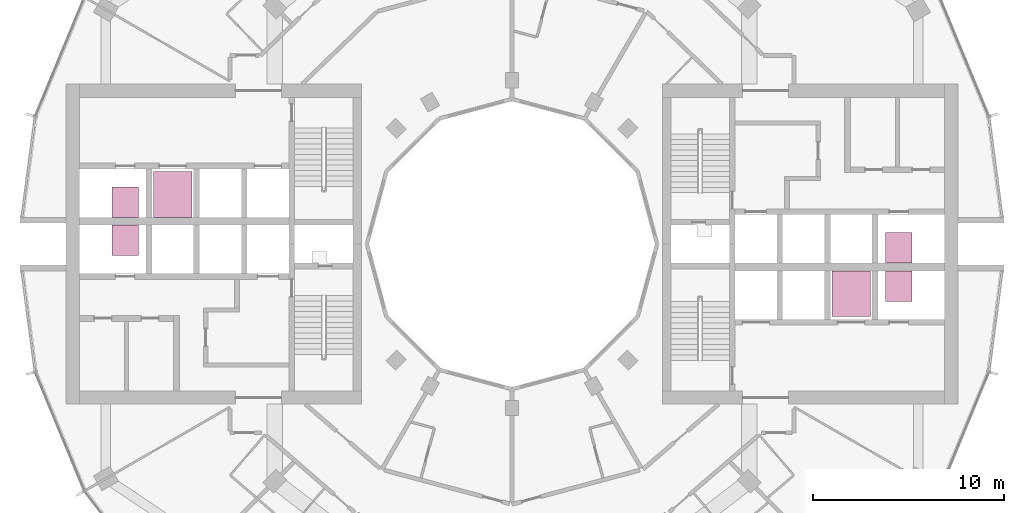
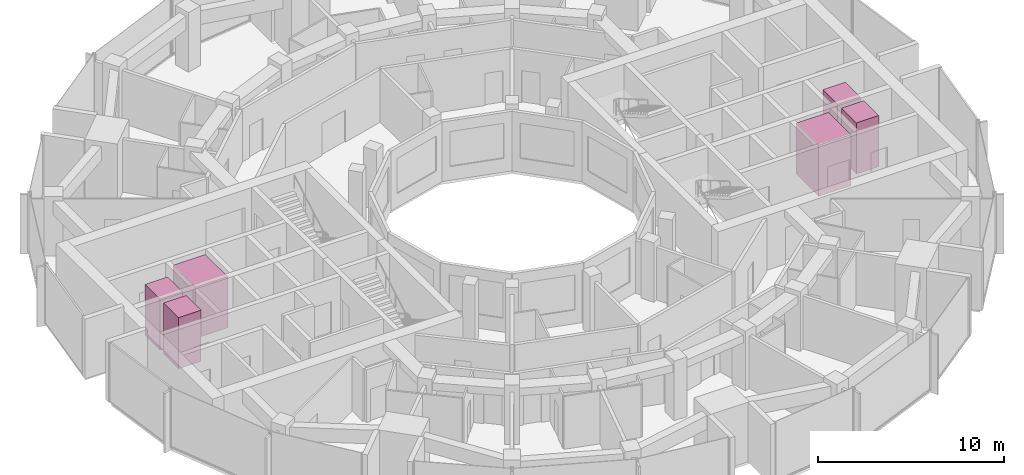
# One storey, part 15 of 15: 6 transport elements.
"""IFC4 building model written with IfcOpenShell, lengths in metres."""

from ifc_helpers import new_model, si_unit, direction, frame, origin, origin_2d, place, context, subcontext, project, spatial, rectangle, extrude, material, type_object, element, save


model = new_model("IFC4")

# Units and contexts
model_context = context("Model", 3, precision=1e-05, world=origin(), true_north=direction((0.0, 1.0)))
body_context = subcontext(model_context, "Body", "Model", "MODEL_VIEW")
ifc_project = project(units=[si_unit("LENGTHUNIT", "METRE"), si_unit("AREAUNIT", "SQUARE_METRE"), si_unit("VOLUMEUNIT", "CUBIC_METRE"), si_unit("PLANEANGLEUNIT", "RADIAN"), si_unit("MASSUNIT", "GRAM", prefix="KILO")], contexts=[model_context])

# Site, building, storey
site_placement = place(None, origin())
site = spatial("IfcSite", under=ifc_project, at=site_placement, CompositionType="ELEMENT")
building_placement = place(site_placement, origin())
building = spatial("IfcBuilding", under=site, at=building_placement, Name="Torre Brocal", CompositionType="ELEMENT")
storey_placement = place(building_placement, frame((0.0, 0.0, 122.39990234375)))
storey = spatial("IfcBuildingStorey", under=building, at=storey_placement, Name="L28", CompositionType="ELEMENT", Elevation=122.39990234375)

# Transport elements
ifc_material_1 = material(Name="Stainless steel AISI 316", Category="steel")
transport_element_type_1 = type_object("IfcTransportElementType", Name="PASSENGER LIFT 2000", PredefinedType="ELEVATOR", material=ifc_material_1)
for number, where, z_axis, x_axis, name in (
    (1, (97.800048828125, 72.39990234375, 0.0), (0.0, 0.0, 1.0), (1.0, 0.0, 0.0), "LOW RISE LIFT E-LR2"),
    (2, (62.199951171875, 77.60009765625, 0.0), (0.0, 0.0, 1.0), (1.0, 0.0, 0.0), "LOW RISE LIFT W-LR2"),
):
    element("IfcTransportElement", number, at=place(storey_placement, frame(where, z_axis=z_axis, x_axis=x_axis)), inside=storey, type_object=transport_element_type_1, Name=name, PredefinedType="ELEVATOR", context=body_context, shape_type="SweptSolid", body=[
        extrude(rectangle(XDim=2.0, YDim=2.39990234375, at=origin_2d()), origin(), (0.0, 0.0, 1.0), 3.35009765625),
    ])
ifc_material_2 = material(Name="Stainless steel AISI 316", Category="steel")
transport_element_type_2 = type_object("IfcTransportElementType", Name="PASSENGER LIFT 900", PredefinedType="ELEVATOR", material=ifc_material_2)
for number, where, z_axis, x_axis, name in (
    (3, (100.300048828125, 74.800048828125, 0.0), (0.0, 0.0, 1.0), (1.0, 0.0, 0.0), "LOW RISE LIFT E-LR1"),
    (4, (100.300048828125, 72.800048828125, 0.0), (0.0, 0.0, 1.0), (1.0, 0.0, 0.0), "LOW RISE LIFT E-LR3"),
    (5, (59.699951171875, 75.199951171875, 0.0), (0.0, 0.0, 1.0), (1.0, 0.0, 0.0), "LOW RISE LIFT W-LR1"),
    (6, (59.699951171875, 77.199951171875, 0.0), (0.0, 0.0, 1.0), (1.0, 0.0, 0.0), "LOW RISE LIFT W-LR3"),
):
    element("IfcTransportElement", number, at=place(storey_placement, frame(where, z_axis=z_axis, x_axis=x_axis)), inside=storey, type_object=transport_element_type_2, Name=name, PredefinedType="ELEVATOR", context=body_context, shape_type="SweptSolid", body=[
        extrude(rectangle(XDim=1.39990234375, YDim=1.60009765625, at=origin_2d()), origin(), (0.0, 0.0, 1.0), 3.35009765625),
    ])

save(model, "model.ifc")
